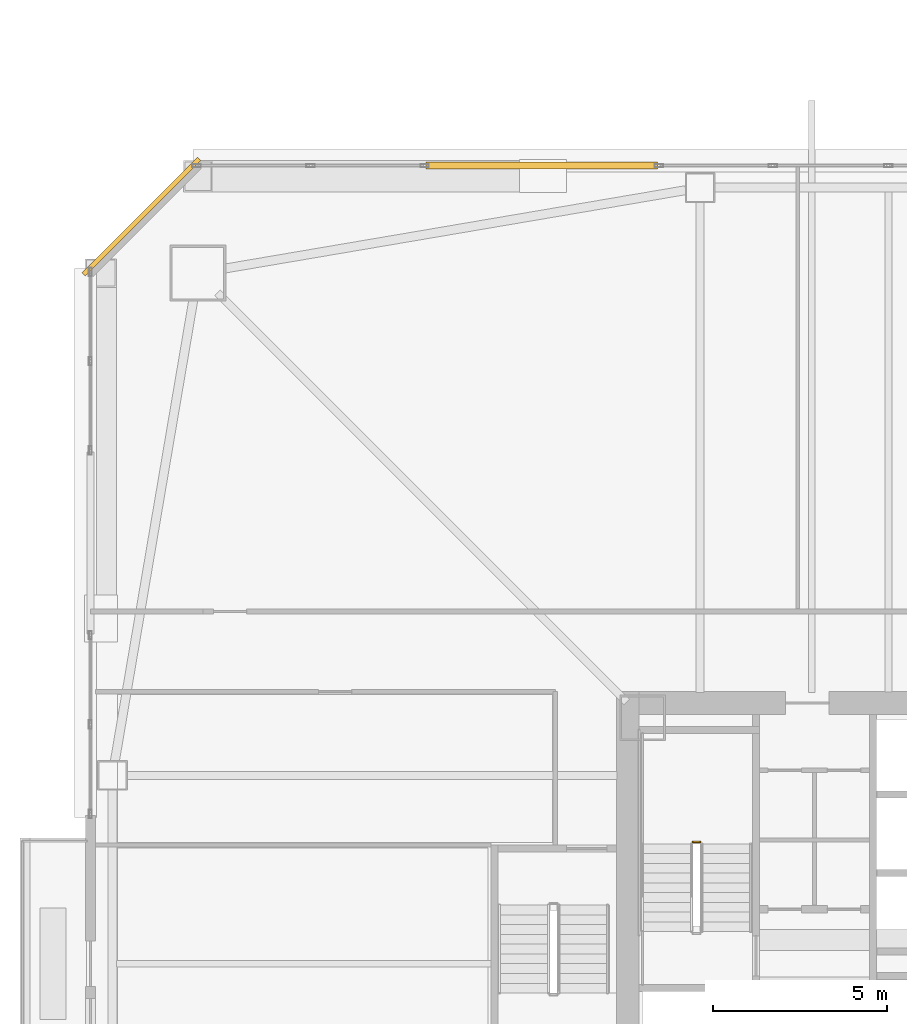
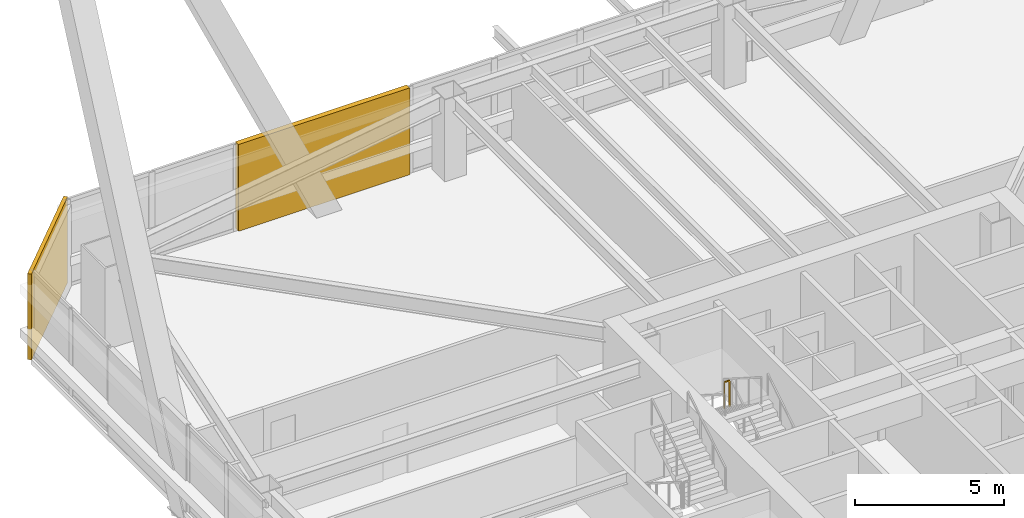
# One storey, part 70 of 75: 2 coverings, 1 railing.
"""IFC4 building model written with IfcOpenShell, lengths in metres."""

from ifc_helpers import new_model, si_unit, direction, frame, origin, origin_2d, place, context, subcontext, project, spatial, rectangle, extrude, material, layer, layer_set, type_object, element, save


model = new_model("IFC4")

# Units and contexts
model_context = context("Model", 3, precision=1e-05, world=origin(), true_north=direction((0.0, 1.0)))
body_context = subcontext(model_context, "Body", "Model", "MODEL_VIEW")
ifc_project = project(units=[si_unit("LENGTHUNIT", "METRE"), si_unit("AREAUNIT", "SQUARE_METRE"), si_unit("VOLUMEUNIT", "CUBIC_METRE"), si_unit("PLANEANGLEUNIT", "RADIAN"), si_unit("MASSUNIT", "GRAM", prefix="KILO")], contexts=[model_context])

# Site, building, storey
site_placement = place(None, origin())
site = spatial("IfcSite", under=ifc_project, at=site_placement, CompositionType="ELEMENT")
building_placement = place(site_placement, origin())
building = spatial("IfcBuilding", under=site, at=building_placement, Name="Tashvorn Skyway Center", CompositionType="ELEMENT")
storey_placement = place(building_placement, frame((0.0, 0.0, 45.89990234375)))
storey = spatial("IfcBuildingStorey", under=building, at=storey_placement, Name="L11", CompositionType="ELEMENT", Elevation=45.89990234375)

# Coverings
ifc_material_1 = material(Name="Precast concrete C40/50", Category="concrete")
ifc_layer_1 = layer(ifc_material_1, 0.199951171875)
ifc_layer_set_1 = layer_set([ifc_layer_1], Name="Precast concrete C40/50")
covering_type_1 = type_object("IfcCoveringType", Name="COV-BRACE-CLAD", PredefinedType="CLADDING", material=ifc_layer_set_1)
covering_1_placement = place(storey_placement, frame((32.06005859375, 54.8798828125, 0.0), z_axis=(0.0, 0.0, 1.0), x_axis=(1.0, 0.0, 0.0)))
element("IfcCovering", 1, at=covering_1_placement, inside=storey, type_object=covering_type_1, Name="Tower 1 L11 North Unitised Curtain Wall Mega-Brace Cladding Band 1", PredefinedType="CLADDING", context=body_context, shape_type="SweptSolid", body=[
    extrude(rectangle(XDim=6.626708984375, YDim=0.199951171875, at=origin_2d()), origin(), (0.0, 0.0, 1.0), 3.550048828125),
])
ifc_layer_2 = layer(ifc_material_1, 0.35009765625)
ifc_layer_set_2 = layer_set([ifc_layer_2], Name="Precast concrete C40/50")
covering_type_2 = type_object("IfcCoveringType", Name="COV-STONE-TRIM", PredefinedType="CLADDING", material=ifc_layer_set_2)
covering_2_placement = place(storey_placement, frame((20.580078125, 53.419921875, 0.02001953125), z_axis=(0.0, 0.0, 1.0), x_axis=(-0.707106781187, -0.707106781187, 0.0)))
element("IfcCovering", 2, at=covering_2_placement, inside=storey, type_object=covering_type_2, Name="Tower 1 L11 NW Mojave Limestone Corner Quoin", PredefinedType="CLADDING", context=body_context, shape_type="SweptSolid", body=[
    extrude(rectangle(XDim=4.685546875, YDim=0.139892578125, at=origin_2d()), origin(), (0.0, 0.0, 1.0), 3.510009765625),
])

# Railing
ifc_material_2 = material(Name="Painted galvanized steel S355", Category="steel")
railing_type = type_object("IfcRailingType", Name="RAIL-STGUARD-1100", PredefinedType="GUARDRAIL", material=ifc_material_2)
railing_placement = place(storey_placement, frame((36.60009765625, 35.489990234375, 1.775146484375)))
element("IfcRailing", 3, at=railing_placement, inside=storey, type_object=railing_type, Name="L11 ST-T1-1 stair guard 2", PredefinedType="GUARDRAIL", context=body_context, shape_type="SweptSolid", body=[
    extrude(rectangle(XDim=0.048095703125, YDim=0.048095703125, at=origin_2d()), frame((0.0, 0.0, 1.076171875), z_axis=(-1.0, 0.0, 0.0), x_axis=(0.0, -1.0, 0.0)), (0.0, 0.0, 1.0), 0.2001953125),
    extrude(rectangle(XDim=0.0419921875, YDim=0.0419921875, at=origin_2d()), origin(), (0.0, 0.0, 1.0), 1.052001953125),
    extrude(rectangle(XDim=0.0419921875, YDim=0.0419921875, at=origin_2d()), frame((-0.2001953125, 0.0, 0.0)), (0.0, 0.0, 1.0), 1.052001953125),
])

save(model, "model.ifc")
